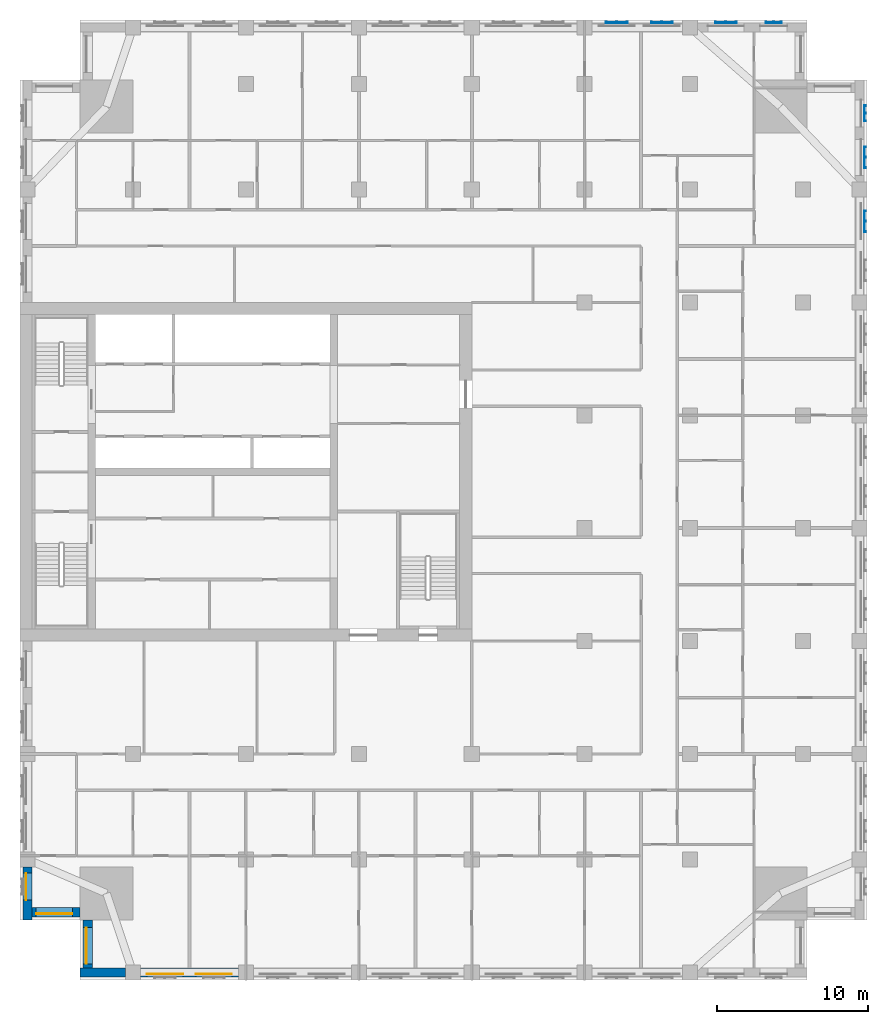
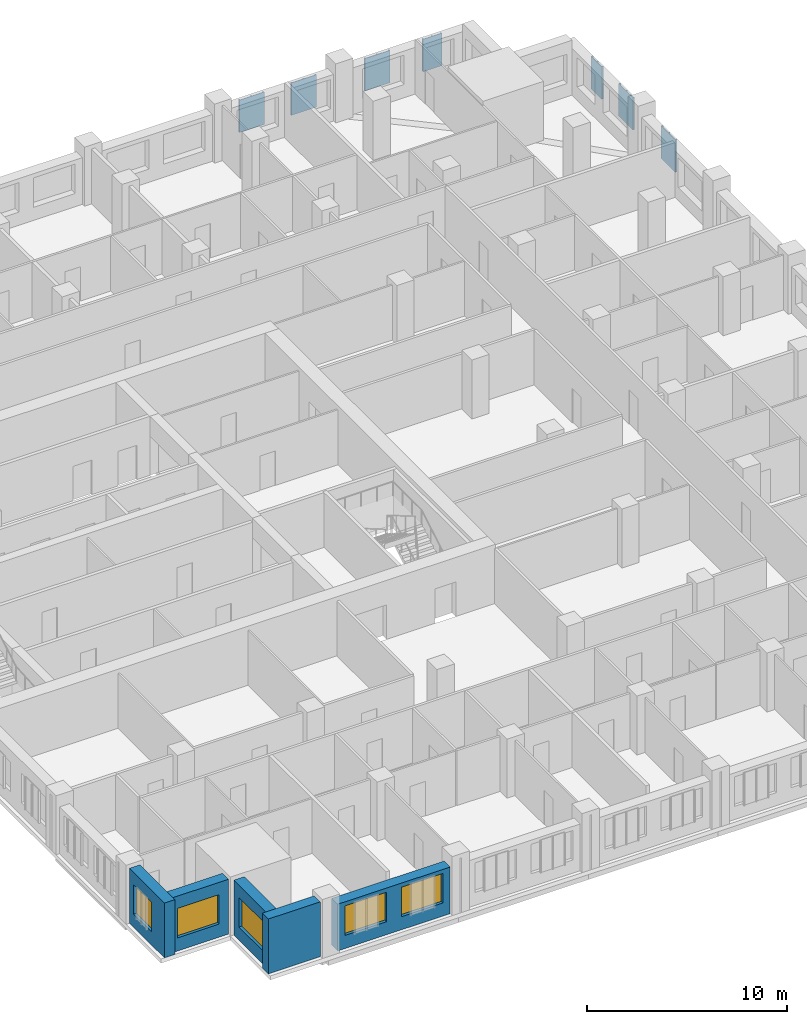
# One storey, part 3 of 13: 7 plates, 5 walls, 5 windows, 5 openings.
"""IFC4 building model written with IfcOpenShell, lengths in metres."""

from ifc_helpers import new_model, si_unit, direction, frame, frame_2d, origin, place, context, subcontext, project, spatial, polyline, rectangle, outline, extrude, material, layer, layer_set, type_object, element, fill, save


model = new_model("IFC4")

# Units and contexts
model_context = context("Model", 3, precision=1e-05, world=origin(), true_north=direction((0.0, 1.0)))
body_context = subcontext(model_context, "Body", "Model", "MODEL_VIEW")
ifc_project = project(units=[si_unit("LENGTHUNIT", "METRE"), si_unit("AREAUNIT", "SQUARE_METRE"), si_unit("VOLUMEUNIT", "CUBIC_METRE"), si_unit("PLANEANGLEUNIT", "RADIAN"), si_unit("MASSUNIT", "GRAM", prefix="KILO")], contexts=[model_context])

# Site, building, storey
site_placement = place(None, origin())
site = spatial("IfcSite", under=ifc_project, at=site_placement, CompositionType="ELEMENT")
building_placement = place(site_placement, origin())
building = spatial("IfcBuilding", under=site, at=building_placement, Name="Tamorin Gate", CompositionType="ELEMENT")
storey_placement = place(building_placement, frame((0.0, 0.0, 144.60009765625)))
storey = spatial("IfcBuildingStorey", under=building, at=storey_placement, Name="L35", CompositionType="ELEMENT", Elevation=144.60009765625)

# Plates
ifc_material_1 = material(Name="Perforated pale aluminium sheet", Category="aluminium")
ifc_layer_1 = layer(ifc_material_1, 0.0400390625)
ifc_layer_set_1 = layer_set([ifc_layer_1], Name="Pale metal solar screen 1080")
plate_type_1 = type_object("IfcPlateType", Name="Pale metal solar screen 1080", PredefinedType="SHEET", material=ifc_layer_set_1)
plate_1_placement = place(storey_placement, frame((0.0, 0.0, 0.7099609375)))
element("IfcPlate", 1, at=plate_1_placement, inside=storey, type_object=plate_type_1, Name="Perforated solar screen", PredefinedType="SHEET", context=body_context, shape_type="SweptSolid", body=[
    extrude(outline(polyline([(86.090087890625, 94.510009765625), (86.050048828125, 94.510009765625), (86.050048828125, 94.570068359375), (86.050048828125, 95.02001953125), (86.050048828125, 95.080078125), (86.050048828125, 95.530029296875), (86.050048828125, 95.590087890625), (86.090087890625, 95.590087890625), (86.14990234375, 95.590087890625), (86.14990234375, 95.530029296875), (86.090087890625, 95.530029296875), (86.090087890625, 95.080078125), (86.14990234375, 95.080078125), (86.14990234375, 95.02001953125), (86.090087890625, 95.02001953125), (86.090087890625, 94.570068359375), (86.14990234375, 94.570068359375), (86.14990234375, 94.510009765625), (86.090087890625, 94.510009765625)])), origin(), (0.0, 0.0, 1.0), 1.97998046875),
])
plate_2_placement = place(storey_placement, frame((0.0, 0.0, 0.7099609375)))
element("IfcPlate", 2, at=plate_2_placement, inside=storey, type_object=plate_type_1, Name="Perforated solar screen", PredefinedType="SHEET", context=body_context, shape_type="SweptSolid", body=[
    extrude(outline(polyline([(80.590087890625, 101.090087890625), (80.590087890625, 101.050048828125), (80.530029296875, 101.050048828125), (80.080078125, 101.050048828125), (80.02001953125, 101.050048828125), (79.570068359375, 101.050048828125), (79.510009765625, 101.050048828125), (79.510009765625, 101.090087890625), (79.510009765625, 101.14990234375), (79.570068359375, 101.14990234375), (79.570068359375, 101.090087890625), (80.02001953125, 101.090087890625), (80.02001953125, 101.14990234375), (80.080078125, 101.14990234375), (80.080078125, 101.090087890625), (80.530029296875, 101.090087890625), (80.530029296875, 101.14990234375), (80.590087890625, 101.14990234375), (80.590087890625, 101.090087890625)])), origin(), (0.0, 0.0, 1.0), 1.97998046875),
])
ifc_layer_2 = layer(ifc_material_1, 0.0400390625)
ifc_layer_set_2 = layer_set([ifc_layer_2], Name="Pale metal solar screen 1440")
plate_type_2 = type_object("IfcPlateType", Name="Pale metal solar screen 1440", PredefinedType="SHEET", material=ifc_layer_set_2)
plate_3_placement = place(storey_placement, frame((0.0, 0.0, 0.7099609375)))
element("IfcPlate", 3, at=plate_3_placement, inside=storey, type_object=plate_type_2, Name="Perforated solar screen", PredefinedType="SHEET", context=body_context, shape_type="SweptSolid", body=[
    extrude(outline(polyline([(86.090087890625, 87.155029296875), (86.050048828125, 87.155029296875), (86.050048828125, 87.215087890625), (86.050048828125, 87.844970703125), (86.050048828125, 87.905029296875), (86.050048828125, 88.534912109375), (86.050048828125, 88.594970703125), (86.090087890625, 88.594970703125), (86.14990234375, 88.594970703125), (86.14990234375, 88.534912109375), (86.090087890625, 88.534912109375), (86.090087890625, 87.905029296875), (86.14990234375, 87.905029296875), (86.14990234375, 87.844970703125), (86.090087890625, 87.844970703125), (86.090087890625, 87.215087890625), (86.14990234375, 87.215087890625), (86.14990234375, 87.155029296875), (86.090087890625, 87.155029296875)])), origin(), (0.0, 0.0, 1.0), 1.97998046875),
])
plate_4_placement = place(storey_placement, frame((0.0, 0.0, 0.7099609375)))
element("IfcPlate", 4, at=plate_4_placement, inside=storey, type_object=plate_type_2, Name="Perforated solar screen", PredefinedType="SHEET", context=body_context, shape_type="SweptSolid", body=[
    extrude(outline(polyline([(86.090087890625, 91.405029296875), (86.050048828125, 91.405029296875), (86.050048828125, 91.465087890625), (86.050048828125, 92.094970703125), (86.050048828125, 92.155029296875), (86.050048828125, 92.784912109375), (86.050048828125, 92.844970703125), (86.090087890625, 92.844970703125), (86.14990234375, 92.844970703125), (86.14990234375, 92.784912109375), (86.090087890625, 92.784912109375), (86.090087890625, 92.155029296875), (86.14990234375, 92.155029296875), (86.14990234375, 92.094970703125), (86.090087890625, 92.094970703125), (86.090087890625, 91.465087890625), (86.14990234375, 91.465087890625), (86.14990234375, 91.405029296875), (86.090087890625, 91.405029296875)])), origin(), (0.0, 0.0, 1.0), 1.97998046875),
])
plate_5_placement = place(storey_placement, frame((0.0, 0.0, 0.7099609375)))
element("IfcPlate", 5, at=plate_5_placement, inside=storey, type_object=plate_type_2, Name="Perforated solar screen", PredefinedType="SHEET", context=body_context, shape_type="SweptSolid", body=[
    extrude(outline(polyline([(77.594970703125, 101.090087890625), (77.594970703125, 101.050048828125), (77.534912109375, 101.050048828125), (76.905029296875, 101.050048828125), (76.844970703125, 101.050048828125), (76.215087890625, 101.050048828125), (76.155029296875, 101.050048828125), (76.155029296875, 101.050048828125), (76.155029296875, 101.090087890625), (76.155029296875, 101.090087890625), (76.155029296875, 101.14990234375), (76.215087890625, 101.14990234375), (76.215087890625, 101.090087890625), (76.844970703125, 101.090087890625), (76.844970703125, 101.14990234375), (76.905029296875, 101.14990234375), (76.905029296875, 101.090087890625), (77.534912109375, 101.090087890625), (77.534912109375, 101.14990234375), (77.594970703125, 101.14990234375), (77.594970703125, 101.090087890625)])), origin(), (0.0, 0.0, 1.0), 1.97998046875),
])
plate_6_placement = place(storey_placement, frame((0.0, 0.0, 0.7099609375)))
element("IfcPlate", 6, at=plate_6_placement, inside=storey, type_object=plate_type_2, Name="Perforated solar screen", PredefinedType="SHEET", context=body_context, shape_type="SweptSolid", body=[
    extrude(outline(polyline([(70.344970703125, 101.090087890625), (70.344970703125, 101.050048828125), (70.284912109375, 101.050048828125), (69.655029296875, 101.050048828125), (69.594970703125, 101.050048828125), (68.965087890625, 101.050048828125), (68.905029296875, 101.050048828125), (68.905029296875, 101.090087890625), (68.905029296875, 101.14990234375), (68.965087890625, 101.14990234375), (68.965087890625, 101.090087890625), (69.594970703125, 101.090087890625), (69.594970703125, 101.14990234375), (69.655029296875, 101.14990234375), (69.655029296875, 101.090087890625), (70.284912109375, 101.090087890625), (70.284912109375, 101.14990234375), (70.344970703125, 101.14990234375), (70.344970703125, 101.090087890625)])), origin(), (0.0, 0.0, 1.0), 1.97998046875),
])
plate_7_placement = place(storey_placement, frame((0.0, 0.0, 0.7099609375)))
element("IfcPlate", 7, at=plate_7_placement, inside=storey, type_object=plate_type_2, Name="Perforated solar screen", PredefinedType="SHEET", context=body_context, shape_type="SweptSolid", body=[
    extrude(outline(polyline([(73.344970703125, 101.090087890625), (73.344970703125, 101.050048828125), (73.284912109375, 101.050048828125), (72.655029296875, 101.050048828125), (72.594970703125, 101.050048828125), (71.965087890625, 101.050048828125), (71.905029296875, 101.050048828125), (71.905029296875, 101.090087890625), (71.905029296875, 101.14990234375), (71.965087890625, 101.14990234375), (71.965087890625, 101.090087890625), (72.594970703125, 101.090087890625), (72.594970703125, 101.14990234375), (72.655029296875, 101.14990234375), (72.655029296875, 101.090087890625), (73.284912109375, 101.090087890625), (73.284912109375, 101.14990234375), (73.344970703125, 101.14990234375), (73.344970703125, 101.090087890625)])), origin(), (0.0, 0.0, 1.0), 1.97998046875),
])

# Wall
ifc_material_2 = material(Name="Precast concrete C40/50", Category="concrete")
ifc_layer_3 = layer(ifc_material_2, 0.60009765625)
ifc_layer_set_3 = layer_set([ifc_layer_3], Name="Precast concrete C40/50")
wall_type = type_object("IfcWallType", Name="Board-marked concrete facade panel 600", PredefinedType="SOLIDWALL", material=ifc_layer_set_3)
wall_1_placement = place(storey_placement, frame((34.0, 38.0, 0.0), z_axis=(0.0, 0.0, 1.0), x_axis=(1.0, 0.0, 0.0)))
element("IfcWall", 8, at=wall_1_placement, inside=storey, type_object=wall_type, Name="Facade panel", PredefinedType="SOLIDWALL", context=body_context, shape_type="SweptSolid", body=[
    extrude(rectangle(XDim=3.0, YDim=0.60009765625, at=frame_2d((1.5, 0.0))), origin(), (0.0, 0.0, 1.0), 3.349853515625),
])

# Wall, openings, windows
wall_2_placement = place(storey_placement, frame((38.0, 38.0, 0.0), z_axis=(0.0, 0.0, 1.0), x_axis=(1.0, 0.0, 0.0)))
wall_2 = element("IfcWall", 9, at=wall_2_placement, inside=storey, type_object=wall_type, Name="Facade panel", PredefinedType="SOLIDWALL", context=body_context, shape_type="SweptSolid", body=[
    extrude(rectangle(XDim=6.5, YDim=0.60009765625, at=frame_2d((3.25, 0.0))), origin(), (0.0, 0.0, 1.0), 2.849853515625),
])
opening_1_placement = place(wall_2_placement, frame((0.425048828125, 0.0, 0.800048828125)))
opening_1 = element("IfcOpeningElement", 10, at=opening_1_placement, cuts=wall_2, Name="Opening WN1", PredefinedType="OPENING", context=body_context, shape_type="SweptSolid", body=[
    extrude(rectangle(XDim=2.39990234375, YDim=1.800048828125, at=frame_2d((1.199951171875, 0.89990234375))), frame((0.0, 0.31005859375, 0.0), z_axis=(0.0, -1.0, 0.0), x_axis=(1.0, 0.0, 0.0)), (0.0, 0.0, 1.0), 0.6201171875),
])
opening_2_placement = place(wall_2_placement, frame((3.675048828125, 0.0, 0.800048828125)))
opening_2 = element("IfcOpeningElement", 11, at=opening_2_placement, cuts=wall_2, Name="Opening WN1", PredefinedType="OPENING", context=body_context, shape_type="SweptSolid", body=[
    extrude(rectangle(XDim=2.39990234375, YDim=1.800048828125, at=frame_2d((1.199951171875, 0.89990234375))), frame((0.0, 0.31005859375, 0.0), z_axis=(0.0, -1.0, 0.0), x_axis=(1.0, 0.0, 0.0)), (0.0, 0.0, 1.0), 0.6201171875),
])
ifc_material_3 = material(Name="Clear glass in aluminium frame", Category="aluminium")
window_type_1 = type_object("IfcWindowType", Name="Deep-set window 2400x1800", PartitioningType="SINGLE_PANEL", PredefinedType="WINDOW", material=ifc_material_3)
window_1_placement = place(opening_1_placement, origin())
window_1 = element("IfcWindow", 12, at=window_1_placement, inside=storey, type_object=window_type_1, Name="Deep-set window", OverallHeight=1.800048828125, OverallWidth=2.39990234375, PartitioningType="SINGLE_PANEL", PredefinedType="WINDOW", context=body_context, shape_type="SweptSolid", body=[
    extrude(rectangle(XDim=2.39990234375, YDim=1.800048828125, at=frame_2d((1.199951171875, 0.89990234375))), frame((0.0, -0.070068359375, 0.0), z_axis=(0.0, -1.0, 0.0), x_axis=(1.0, 0.0, 0.0)), (0.0, 0.0, 1.0), 0.06005859375),
])
fill(opening_1, window_1)
window_2_placement = place(opening_2_placement, origin())
window_2 = element("IfcWindow", 13, at=window_2_placement, inside=storey, type_object=window_type_1, Name="Deep-set window", OverallHeight=1.800048828125, OverallWidth=2.39990234375, PartitioningType="SINGLE_PANEL", PredefinedType="WINDOW", context=body_context, shape_type="SweptSolid", body=[
    extrude(rectangle(XDim=2.39990234375, YDim=1.800048828125, at=frame_2d((1.199951171875, 0.89990234375))), frame((0.0, -0.070068359375, 0.0), z_axis=(0.0, -1.0, 0.0), x_axis=(1.0, 0.0, 0.0)), (0.0, 0.0, 1.0), 0.06005859375),
])
fill(opening_2, window_2)

# Wall, opening, window
wall_3_placement = place(storey_placement, frame((30.5, 45.0, 0.0), z_axis=(0.0, 0.0, 1.0), x_axis=(0.0, -1.0, 0.0)))
wall_3 = element("IfcWall", 14, at=wall_3_placement, inside=storey, type_object=wall_type, Name="Facade panel", PredefinedType="SOLIDWALL", context=body_context, shape_type="SweptSolid", body=[
    extrude(rectangle(XDim=3.5, YDim=0.60009765625, at=frame_2d((1.75, 0.0))), origin(), (0.0, 0.0, 1.0), 3.349853515625),
])
opening_3_placement = place(wall_3_placement, frame((0.39990234375, 0.0, 0.800048828125)))
opening_3 = element("IfcOpeningElement", 15, at=opening_3_placement, cuts=wall_3, Name="Opening WN2", PredefinedType="OPENING", context=body_context, shape_type="SweptSolid", body=[
    extrude(rectangle(XDim=1.800048828125, YDim=1.800048828125, at=frame_2d((0.89990234375, 0.89990234375))), frame((0.0, 0.31005859375, 0.0), z_axis=(0.0, -1.0, 0.0), x_axis=(1.0, 0.0, 0.0)), (0.0, 0.0, 1.0), 0.6201171875),
])
window_type_2 = type_object("IfcWindowType", Name="Deep-set window 1800x1800", PartitioningType="SINGLE_PANEL", PredefinedType="WINDOW", material=ifc_material_3)
window_3_placement = place(opening_3_placement, origin())
window_3 = element("IfcWindow", 16, at=window_3_placement, inside=storey, type_object=window_type_2, Name="Deep-set window", OverallHeight=1.800048828125, OverallWidth=1.800048828125, PartitioningType="SINGLE_PANEL", PredefinedType="WINDOW", context=body_context, shape_type="SweptSolid", body=[
    extrude(rectangle(XDim=1.800048828125, YDim=1.800048828125, at=frame_2d((0.89990234375, 0.89990234375))), frame((0.0, -0.070068359375, 0.0), z_axis=(0.0, -1.0, 0.0), x_axis=(1.0, 0.0, 0.0)), (0.0, 0.0, 1.0), 0.06005859375),
])
fill(opening_3, window_3)

wall_4_placement = place(storey_placement, frame((30.800048828125, 42.0, 0.0), z_axis=(0.0, 0.0, 1.0), x_axis=(1.0, 0.0, 0.0)))
wall_4 = element("IfcWall", 17, at=wall_4_placement, inside=storey, type_object=wall_type, Name="Facade panel", PredefinedType="SOLIDWALL", context=body_context, shape_type="SweptSolid", body=[
    extrude(rectangle(XDim=3.199951171875, YDim=0.60009765625, at=frame_2d((1.60009765625, 0.0))), origin(), (0.0, 0.0, 1.0), 3.349853515625),
])
opening_4_placement = place(wall_4_placement, frame((0.27490234375, 0.0, 0.800048828125)))
opening_4 = element("IfcOpeningElement", 18, at=opening_4_placement, cuts=wall_4, Name="Opening WN1", PredefinedType="OPENING", context=body_context, shape_type="SweptSolid", body=[
    extrude(rectangle(XDim=2.39990234375, YDim=1.800048828125, at=frame_2d((1.199951171875, 0.89990234375))), frame((0.0, 0.31005859375, 0.0), z_axis=(0.0, -1.0, 0.0), x_axis=(1.0, 0.0, 0.0)), (0.0, 0.0, 1.0), 0.6201171875),
])
window_4_placement = place(opening_4_placement, origin())
window_4 = element("IfcWindow", 19, at=window_4_placement, inside=storey, type_object=window_type_1, Name="Deep-set window", OverallHeight=1.800048828125, OverallWidth=2.39990234375, PartitioningType="SINGLE_PANEL", PredefinedType="WINDOW", context=body_context, shape_type="SweptSolid", body=[
    extrude(rectangle(XDim=2.39990234375, YDim=1.800048828125, at=frame_2d((1.199951171875, 0.89990234375))), frame((0.0, -0.070068359375, 0.0), z_axis=(0.0, -1.0, 0.0), x_axis=(1.0, 0.0, 0.0)), (0.0, 0.0, 1.0), 0.06005859375),
])
fill(opening_4, window_4)

wall_5_placement = place(storey_placement, frame((34.5, 41.5, 0.0), z_axis=(0.0, 0.0, 1.0), x_axis=(0.0, -1.0, 0.0)))
wall_5 = element("IfcWall", 20, at=wall_5_placement, inside=storey, type_object=wall_type, Name="Facade panel", PredefinedType="SOLIDWALL", context=body_context, shape_type="SweptSolid", body=[
    extrude(rectangle(XDim=3.199951171875, YDim=0.60009765625, at=frame_2d((1.60009765625, 0.0))), origin(), (0.0, 0.0, 1.0), 3.349853515625),
])
opening_5_placement = place(wall_5_placement, frame((0.52490234375, 0.0, 0.800048828125)))
opening_5 = element("IfcOpeningElement", 21, at=opening_5_placement, cuts=wall_5, Name="Opening WN1", PredefinedType="OPENING", context=body_context, shape_type="SweptSolid", body=[
    extrude(rectangle(XDim=2.39990234375, YDim=1.800048828125, at=frame_2d((1.199951171875, 0.89990234375))), frame((0.0, 0.31005859375, 0.0), z_axis=(0.0, -1.0, 0.0), x_axis=(1.0, 0.0, 0.0)), (0.0, 0.0, 1.0), 0.6201171875),
])
window_5_placement = place(opening_5_placement, origin())
window_5 = element("IfcWindow", 22, at=window_5_placement, inside=storey, type_object=window_type_1, Name="Deep-set window", OverallHeight=1.800048828125, OverallWidth=2.39990234375, PartitioningType="SINGLE_PANEL", PredefinedType="WINDOW", context=body_context, shape_type="SweptSolid", body=[
    extrude(rectangle(XDim=2.39990234375, YDim=1.800048828125, at=frame_2d((1.199951171875, 0.89990234375))), frame((0.0, -0.070068359375, 0.0), z_axis=(0.0, -1.0, 0.0), x_axis=(1.0, 0.0, 0.0)), (0.0, 0.0, 1.0), 0.06005859375),
])
fill(opening_5, window_5)

save(model, "model.ifc")
